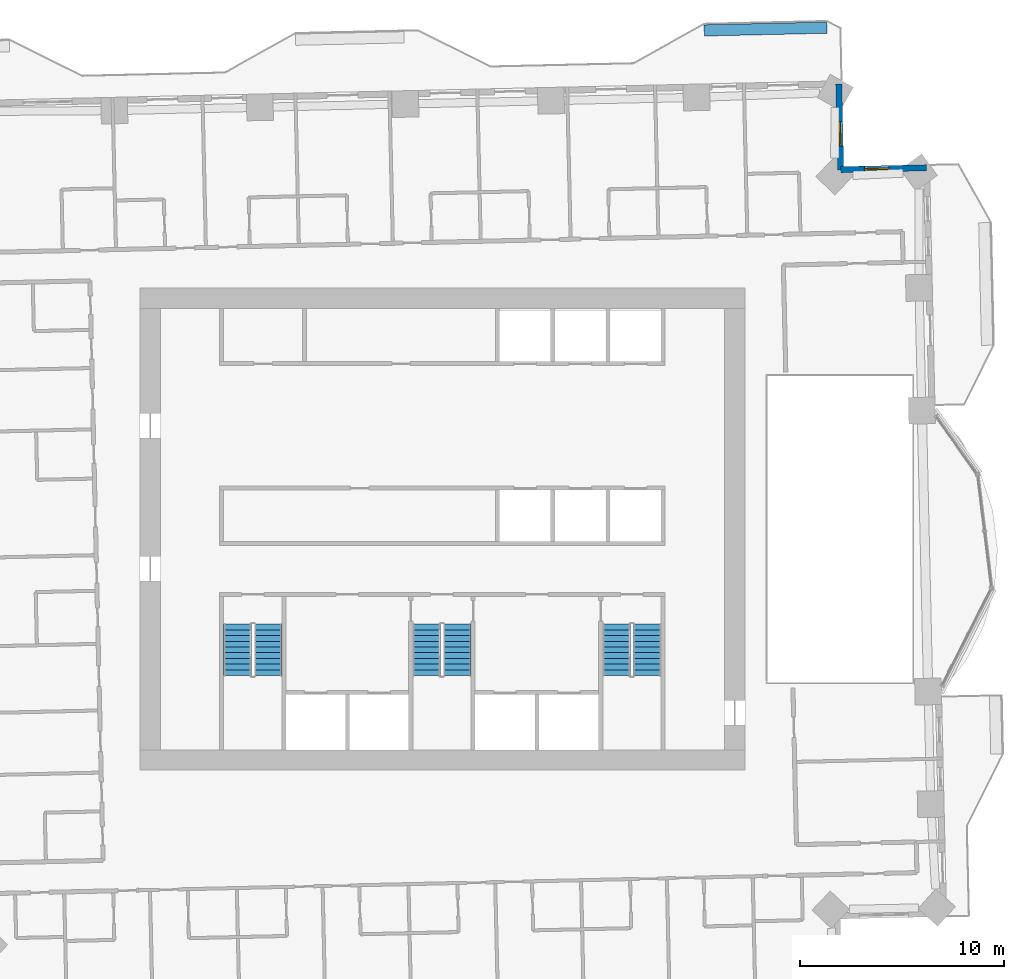
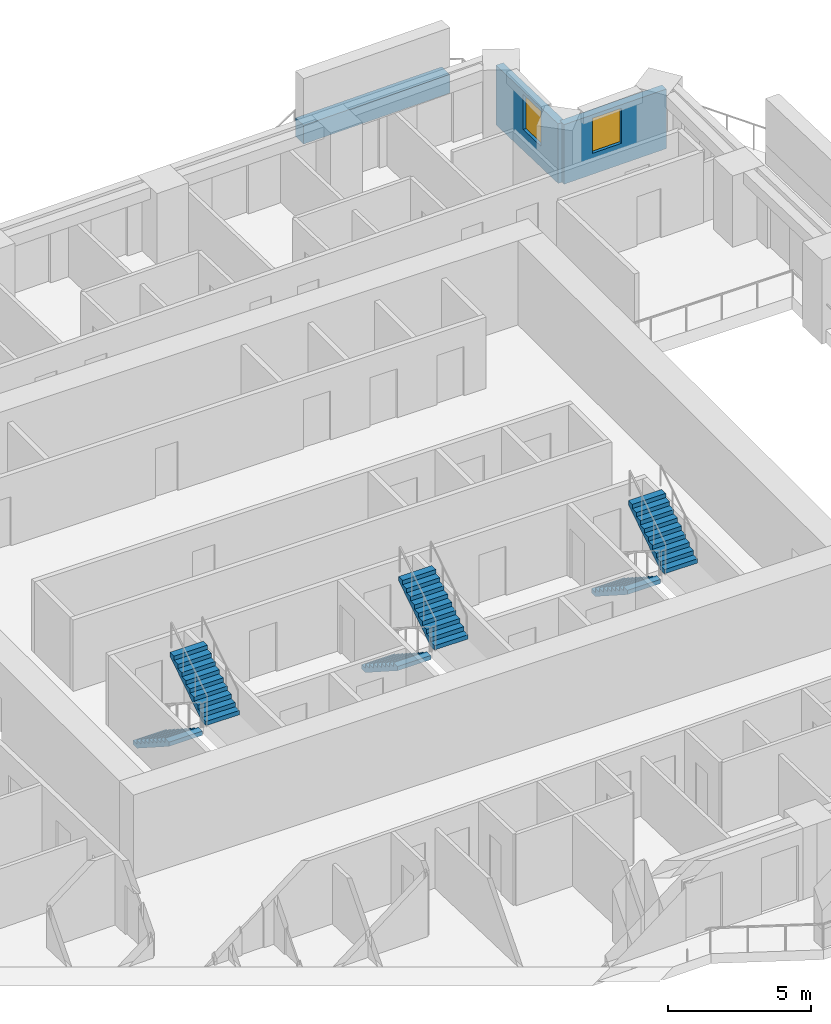
# One storey, part 12 of 16: 6 stair flights, 3 walls, 2 windows, 2 openings, 3 elements without a shape of their own.
"""IFC4 building model written with IfcOpenShell, lengths in metres."""

from ifc_helpers import new_model, si_unit, direction, frame, frame_2d, origin, place, context, subcontext, project, spatial, polyline, rectangle, outline, extrude, material, layer, layer_set, type_object, element, fill, aggregate, save


model = new_model("IFC4")

# Units and contexts
model_context = context("Model", 3, precision=1e-05, world=origin(), true_north=direction((0.0, 1.0)))
body_context = subcontext(model_context, "Body", "Model", "MODEL_VIEW")
ifc_project = project(units=[si_unit("LENGTHUNIT", "METRE"), si_unit("AREAUNIT", "SQUARE_METRE"), si_unit("VOLUMEUNIT", "CUBIC_METRE"), si_unit("PLANEANGLEUNIT", "RADIAN"), si_unit("MASSUNIT", "GRAM", prefix="KILO")], contexts=[model_context])

# Site, building, storey
site_placement = place(None, origin())
site = spatial("IfcSite", under=ifc_project, at=site_placement, CompositionType="ELEMENT")
building_placement = place(site_placement, origin())
building = spatial("IfcBuilding", under=site, at=building_placement, Name="Mangrove Gate Tower", CompositionType="ELEMENT")
storey_placement = place(building_placement, frame((0.0, 0.0, 133.699951171875)))
storey = spatial("IfcBuildingStorey", under=building, at=storey_placement, Name="L33", CompositionType="ELEMENT", Elevation=133.699951171875)

# Wall, opening, window
ifc_material_1 = material(Name="Limestone", Category="masonry")
ifc_layer_1 = layer(ifc_material_1, 0.0400390625, Name="Limestone cladding")
ifc_material_2 = material(Name="Ventilated air gap")
ifc_layer_2 = layer(ifc_material_2, 0.0400390625, Name="Ventilated cavity")
ifc_material_3 = material(Name="Mineral wool insulation")
ifc_layer_3 = layer(ifc_material_3, 0.06005859375, Name="Insulation")
ifc_material_4 = material(Name="Breather membrane")
ifc_layer_4 = layer(ifc_material_4, 0.001953125, Name="Breather membrane")
ifc_material_5 = material(Name="Concrete C20/25 blockwork", Category="masonry")
ifc_layer_5 = layer(ifc_material_5, 0.14990234375, Name="Blockwork backing wall")
ifc_material_6 = material(Name="Gypsum plaster")
ifc_layer_6 = layer(ifc_material_6, 0.008056640625, Name="Internal plaster")
ifc_layer_set_1 = layer_set([ifc_layer_1, ifc_layer_2, ifc_layer_3, ifc_layer_4, ifc_layer_5, ifc_layer_6], Name="External wall 300 limestone cladding")
wall_type_1 = type_object("IfcWallType", Name="External wall 300 limestone cladding", PredefinedType="SOLIDWALL", material=ifc_layer_set_1)
wall_1_placement = place(storey_placement, frame((23.68994140625, 17.678955078125, 0.0), z_axis=(0.0, 0.0, 1.0), x_axis=(-0.999739037152, -0.022844202663, 0.0)))
wall_1 = element("IfcWall", 1, at=wall_1_placement, inside=storey, type_object=wall_type_1, Name="WALL-L33-N3", PredefinedType="SOLIDWALL", context=body_context, shape_type="SweptSolid", body=[
    extrude(rectangle(XDim=4.199951171875, YDim=0.300048828125, at=frame_2d((2.10009765625, 0.0))), origin(), (0.0, 0.0, 1.0), 2.550048828125),
])
opening_1_placement = place(wall_1_placement, frame((1.839111328125, 0.0, 0.89990234375)))
opening_1 = element("IfcOpeningElement", 2, at=opening_1_placement, cuts=wall_1, Name="Opening W1", PredefinedType="OPENING", context=body_context, shape_type="SweptSolid", body=[
    extrude(rectangle(XDim=1.199951171875, YDim=1.5, at=frame_2d((0.60009765625, 0.75))), frame((0.0, 0.159912109375, 0.0), z_axis=(0.0, -1.0, 0.0), x_axis=(1.0, 0.0, 0.0)), (0.0, 0.0, 1.0), 0.320068359375),
])
ifc_material_7 = material(Name="Aluminium frame with double-glazed low-e glass", Category="aluminium")
window_type = type_object("IfcWindowType", Name="Side lite 1200x1500", PartitioningType="SINGLE_PANEL", PredefinedType="WINDOW", material=ifc_material_7)
window_1_placement = place(opening_1_placement, origin())
window_1 = element("IfcWindow", 3, at=window_1_placement, inside=storey, type_object=window_type, Name="WIN-L33-N3-1", OverallHeight=1.5, OverallWidth=1.199951171875, PartitioningType="SINGLE_PANEL", PredefinedType="WINDOW", context=body_context, shape_type="SweptSolid", body=[
    extrude(rectangle(XDim=1.199951171875, YDim=1.5, at=frame_2d((0.60009765625, 0.75))), frame((0.0, 0.030029296875, 0.0), z_axis=(0.0, -1.0, 0.0), x_axis=(1.0, 0.0, 0.0)), (0.0, 0.0, 1.0), 0.06005859375),
])
fill(opening_1, window_1)

wall_2_placement = place(storey_placement, frame((19.490966796875, 17.5830078125, 0.0), z_axis=(0.0, 0.0, 1.0), x_axis=(-0.022611811187, 0.999744320311, 0.0)))
wall_2 = element("IfcWall", 4, at=wall_2_placement, inside=storey, type_object=wall_type_1, Name="WALL-L33-E4", PredefinedType="SOLIDWALL", context=body_context, shape_type="SweptSolid", body=[
    extrude(rectangle(XDim=4.199951171875, YDim=0.300048828125, at=frame_2d((2.10009765625, 0.0))), origin(), (0.0, 0.0, 1.0), 2.550048828125),
])
opening_2_placement = place(wall_2_placement, frame((1.155029296875, 0.0, 0.89990234375)))
opening_2 = element("IfcOpeningElement", 5, at=opening_2_placement, cuts=wall_2, Name="Opening W1", PredefinedType="OPENING", context=body_context, shape_type="SweptSolid", body=[
    extrude(rectangle(XDim=1.199951171875, YDim=1.5, at=frame_2d((0.60009765625, 0.75))), frame((0.0, 0.159912109375, 0.0), z_axis=(0.0, -1.0, 0.0), x_axis=(1.0, 0.0, 0.0)), (0.0, 0.0, 1.0), 0.320068359375),
])
window_2_placement = place(opening_2_placement, origin())
window_2 = element("IfcWindow", 6, at=window_2_placement, inside=storey, type_object=window_type, Name="WIN-L33-E4-1", OverallHeight=1.5, OverallWidth=1.199951171875, PartitioningType="SINGLE_PANEL", PredefinedType="WINDOW", context=body_context, shape_type="SweptSolid", body=[
    extrude(rectangle(XDim=1.199951171875, YDim=1.5, at=frame_2d((0.60009765625, 0.75))), frame((0.0, 0.030029296875, 0.0), z_axis=(0.0, -1.0, 0.0), x_axis=(1.0, 0.0, 0.0)), (0.0, 0.0, 1.0), 0.06005859375),
])
fill(opening_2, window_2)

# Wall
ifc_material_8 = material(Name="Concrete C32/40", Category="concrete")
ifc_layer_7 = layer(ifc_material_8, 0.199951171875, Name="Planter trough wall")
ifc_material_9 = material(Name="Bituminous waterproofing membrane")
ifc_layer_8 = layer(ifc_material_9, 0.0048828125, Name="Waterproofing")
ifc_material_10 = material(Name="Drainage board and gravel")
ifc_layer_9 = layer(ifc_material_10, 0.044921875, Name="Drainage layer")
ifc_material_11 = material(Name="Planting soil")
ifc_layer_10 = layer(ifc_material_11, 0.300048828125, Name="Growing medium")
ifc_layer_set_2 = layer_set([ifc_layer_7, ifc_layer_8, ifc_layer_9, ifc_layer_10], Name="Planter wall 550 C32/40")
wall_type_2 = type_object("IfcWallType", Name="Planter wall 550 C32/40", PredefinedType="USERDEFINED", material=ifc_layer_set_2)
wall_3_placement = place(storey_placement, frame((12.81201171875, 24.39892578125, 0.0), z_axis=(0.0, 0.0, 1.0), x_axis=(0.999743178102, 0.022662255828, 0.0)))
element("IfcWall", 7, at=wall_3_placement, inside=storey, type_object=wall_type_2, Name="PLANTER L33 N0.1", ObjectType="PLANTER", PredefinedType="USERDEFINED", context=body_context, shape_type="SweptSolid", body=[
    extrude(rectangle(XDim=6.00048828125, YDim=0.550048828125, at=frame_2d((3.000244140625, 0.0))), origin(), (0.0, 0.0, 1.0), 0.800048828125),
])

# Stair, stair flights
ifc_material_12 = material(Name="Concrete C40/50", Category="concrete")
stair_type = type_object("IfcStairType", Name="Core stair 1350", PredefinedType="HALF_TURN_STAIR", material=ifc_material_12)
stair_1_placement = place(storey_placement, origin())
stair_1 = element("IfcStair", 8, at=stair_1_placement, inside=storey, type_object=stair_type, Name="L33 Stair 1", PredefinedType="HALF_TURN_STAIR")
ifc_material_13 = material(Name="Concrete C40/50", Category="concrete")
stair_flight_type = type_object("IfcStairFlightType", Name="Core stair flight 1350", PredefinedType="STRAIGHT", material=ifc_material_13)
stair_flight_1_placement = place(storey_placement, frame((-10.02490234375, -4.64990234375, 0.0), z_axis=(0.0, 0.0, 1.0), x_axis=(0.0, -1.0, 0.0)))
stair_flight_1 = element("IfcStairFlight", 9, at=stair_flight_1_placement, type_object=stair_flight_type, Name="ST1 flight 1", NumberOfRisers=10, NumberOfTreads=9, PredefinedType="STRAIGHT", RiserHeight=0.18, TreadLength=0.28, context=body_context, shape_type="SweptSolid", body=[
    extrude(outline(polyline([(0.0, 0.0), (0.0, 0.179931640625), (0.280029296875, 0.179931640625), (0.280029296875, 0.360107421875), (0.56005859375, 0.360107421875), (0.56005859375, 0.5400390625), (0.840087890625, 0.5400390625), (0.840087890625, 0.719970703125), (1.1201171875, 0.719970703125), (1.1201171875, 0.89990234375), (1.39990234375, 0.89990234375), (1.39990234375, 1.080078125), (1.679931640625, 1.080078125), (1.679931640625, 1.260009765625), (1.9599609375, 1.260009765625), (1.9599609375, 1.43994140625), (2.239990234375, 1.43994140625), (2.239990234375, 1.6201171875), (2.52001953125, 1.6201171875), (2.52001953125, 1.800048828125), (2.52001953125, 1.44189453125), (0.277099609375, 0.0), (0.0, 0.0)])), frame((0.0, 0.675048828125, 0.0), z_axis=(0.0, -1.0, 0.0), x_axis=(1.0, 0.0, 0.0)), (0.0, 0.0, 1.0), 1.35009765625),
])
stair_flight_2_placement = place(storey_placement, frame((-8.52490234375, -7.169921875, 1.800048828125), z_axis=(0.0, 0.0, 1.0), x_axis=(0.0, 1.0, 0.0)))
stair_flight_2 = element("IfcStairFlight", 10, at=stair_flight_2_placement, type_object=stair_flight_type, Name="ST1 flight 2", NumberOfRisers=10, NumberOfTreads=9, PredefinedType="STRAIGHT", RiserHeight=0.18, TreadLength=0.28, context=body_context, shape_type="SweptSolid", body=[
    extrude(outline(polyline([(0.0, 0.0), (0.0, 0.179931640625), (0.280029296875, 0.179931640625), (0.280029296875, 0.360107421875), (0.56005859375, 0.360107421875), (0.56005859375, 0.5400390625), (0.840087890625, 0.5400390625), (0.840087890625, 0.719970703125), (1.1201171875, 0.719970703125), (1.1201171875, 0.89990234375), (1.39990234375, 0.89990234375), (1.39990234375, 1.080078125), (1.679931640625, 1.080078125), (1.679931640625, 1.260009765625), (1.9599609375, 1.260009765625), (1.9599609375, 1.43994140625), (2.239990234375, 1.43994140625), (2.239990234375, 1.6201171875), (2.52001953125, 1.6201171875), (2.52001953125, 1.800048828125), (2.52001953125, 1.44189453125), (0.277099609375, 0.0), (0.0, 0.0)])), frame((0.0, 0.675048828125, 0.0), z_axis=(0.0, -1.0, 0.0), x_axis=(1.0, 0.0, 0.0)), (0.0, 0.0, 1.0), 1.35009765625),
])
aggregate(stair_1, [stair_flight_1, stair_flight_2])

stair_2_placement = place(storey_placement, origin())
stair_2 = element("IfcStair", 11, at=stair_2_placement, inside=storey, type_object=stair_type, Name="L33 Stair 2", PredefinedType="HALF_TURN_STAIR")
stair_flight_3_placement = place(storey_placement, frame((-0.77490234375, -4.64990234375, 0.0), z_axis=(0.0, 0.0, 1.0), x_axis=(0.0, -1.0, 0.0)))
stair_flight_3 = element("IfcStairFlight", 12, at=stair_flight_3_placement, type_object=stair_flight_type, Name="ST2 flight 1", NumberOfRisers=10, NumberOfTreads=9, PredefinedType="STRAIGHT", RiserHeight=0.18, TreadLength=0.28, context=body_context, shape_type="SweptSolid", body=[
    extrude(outline(polyline([(0.0, 0.0), (0.0, 0.179931640625), (0.280029296875, 0.179931640625), (0.280029296875, 0.360107421875), (0.56005859375, 0.360107421875), (0.56005859375, 0.5400390625), (0.840087890625, 0.5400390625), (0.840087890625, 0.719970703125), (1.1201171875, 0.719970703125), (1.1201171875, 0.89990234375), (1.39990234375, 0.89990234375), (1.39990234375, 1.080078125), (1.679931640625, 1.080078125), (1.679931640625, 1.260009765625), (1.9599609375, 1.260009765625), (1.9599609375, 1.43994140625), (2.239990234375, 1.43994140625), (2.239990234375, 1.6201171875), (2.52001953125, 1.6201171875), (2.52001953125, 1.800048828125), (2.52001953125, 1.44189453125), (0.277099609375, 0.0), (0.0, 0.0)])), frame((0.0, 0.675048828125, 0.0), z_axis=(0.0, -1.0, 0.0), x_axis=(1.0, 0.0, 0.0)), (0.0, 0.0, 1.0), 1.35009765625),
])
stair_flight_4_placement = place(storey_placement, frame((0.72509765625, -7.169921875, 1.800048828125), z_axis=(0.0, 0.0, 1.0), x_axis=(0.0, 1.0, 0.0)))
stair_flight_4 = element("IfcStairFlight", 13, at=stair_flight_4_placement, type_object=stair_flight_type, Name="ST2 flight 2", NumberOfRisers=10, NumberOfTreads=9, PredefinedType="STRAIGHT", RiserHeight=0.18, TreadLength=0.28, context=body_context, shape_type="SweptSolid", body=[
    extrude(outline(polyline([(0.0, 0.0), (0.0, 0.179931640625), (0.280029296875, 0.179931640625), (0.280029296875, 0.360107421875), (0.56005859375, 0.360107421875), (0.56005859375, 0.5400390625), (0.840087890625, 0.5400390625), (0.840087890625, 0.719970703125), (1.1201171875, 0.719970703125), (1.1201171875, 0.89990234375), (1.39990234375, 0.89990234375), (1.39990234375, 1.080078125), (1.679931640625, 1.080078125), (1.679931640625, 1.260009765625), (1.9599609375, 1.260009765625), (1.9599609375, 1.43994140625), (2.239990234375, 1.43994140625), (2.239990234375, 1.6201171875), (2.52001953125, 1.6201171875), (2.52001953125, 1.800048828125), (2.52001953125, 1.44189453125), (0.277099609375, 0.0), (0.0, 0.0)])), frame((0.0, 0.675048828125, 0.0), z_axis=(0.0, -1.0, 0.0), x_axis=(1.0, 0.0, 0.0)), (0.0, 0.0, 1.0), 1.35009765625),
])
aggregate(stair_2, [stair_flight_3, stair_flight_4])

stair_3_placement = place(storey_placement, origin())
stair_3 = element("IfcStair", 14, at=stair_3_placement, inside=storey, type_object=stair_type, Name="L33 Stair 3", PredefinedType="HALF_TURN_STAIR")
stair_flight_5_placement = place(storey_placement, frame((8.52490234375, -4.64990234375, 0.0), z_axis=(0.0, 0.0, 1.0), x_axis=(0.0, -1.0, 0.0)))
stair_flight_5 = element("IfcStairFlight", 15, at=stair_flight_5_placement, type_object=stair_flight_type, Name="ST3 flight 1", NumberOfRisers=10, NumberOfTreads=9, PredefinedType="STRAIGHT", RiserHeight=0.18, TreadLength=0.28, context=body_context, shape_type="SweptSolid", body=[
    extrude(outline(polyline([(0.0, 0.0), (0.0, 0.179931640625), (0.280029296875, 0.179931640625), (0.280029296875, 0.360107421875), (0.56005859375, 0.360107421875), (0.56005859375, 0.5400390625), (0.840087890625, 0.5400390625), (0.840087890625, 0.719970703125), (1.1201171875, 0.719970703125), (1.1201171875, 0.89990234375), (1.39990234375, 0.89990234375), (1.39990234375, 1.080078125), (1.679931640625, 1.080078125), (1.679931640625, 1.260009765625), (1.9599609375, 1.260009765625), (1.9599609375, 1.43994140625), (2.239990234375, 1.43994140625), (2.239990234375, 1.6201171875), (2.52001953125, 1.6201171875), (2.52001953125, 1.800048828125), (2.52001953125, 1.44189453125), (0.277099609375, 0.0), (0.0, 0.0)])), frame((0.0, 0.675048828125, 0.0), z_axis=(0.0, -1.0, 0.0), x_axis=(1.0, 0.0, 0.0)), (0.0, 0.0, 1.0), 1.35009765625),
])
stair_flight_6_placement = place(storey_placement, frame((10.02490234375, -7.169921875, 1.800048828125), z_axis=(0.0, 0.0, 1.0), x_axis=(0.0, 1.0, 0.0)))
stair_flight_6 = element("IfcStairFlight", 16, at=stair_flight_6_placement, type_object=stair_flight_type, Name="ST3 flight 2", NumberOfRisers=10, NumberOfTreads=9, PredefinedType="STRAIGHT", RiserHeight=0.18, TreadLength=0.28, context=body_context, shape_type="SweptSolid", body=[
    extrude(outline(polyline([(0.0, 0.0), (0.0, 0.179931640625), (0.280029296875, 0.179931640625), (0.280029296875, 0.360107421875), (0.56005859375, 0.360107421875), (0.56005859375, 0.5400390625), (0.840087890625, 0.5400390625), (0.840087890625, 0.719970703125), (1.1201171875, 0.719970703125), (1.1201171875, 0.89990234375), (1.39990234375, 0.89990234375), (1.39990234375, 1.080078125), (1.679931640625, 1.080078125), (1.679931640625, 1.260009765625), (1.9599609375, 1.260009765625), (1.9599609375, 1.43994140625), (2.239990234375, 1.43994140625), (2.239990234375, 1.6201171875), (2.52001953125, 1.6201171875), (2.52001953125, 1.800048828125), (2.52001953125, 1.44189453125), (0.277099609375, 0.0), (0.0, 0.0)])), frame((0.0, 0.675048828125, 0.0), z_axis=(0.0, -1.0, 0.0), x_axis=(1.0, 0.0, 0.0)), (0.0, 0.0, 1.0), 1.35009765625),
])
aggregate(stair_3, [stair_flight_5, stair_flight_6])

save(model, "model.ifc")
